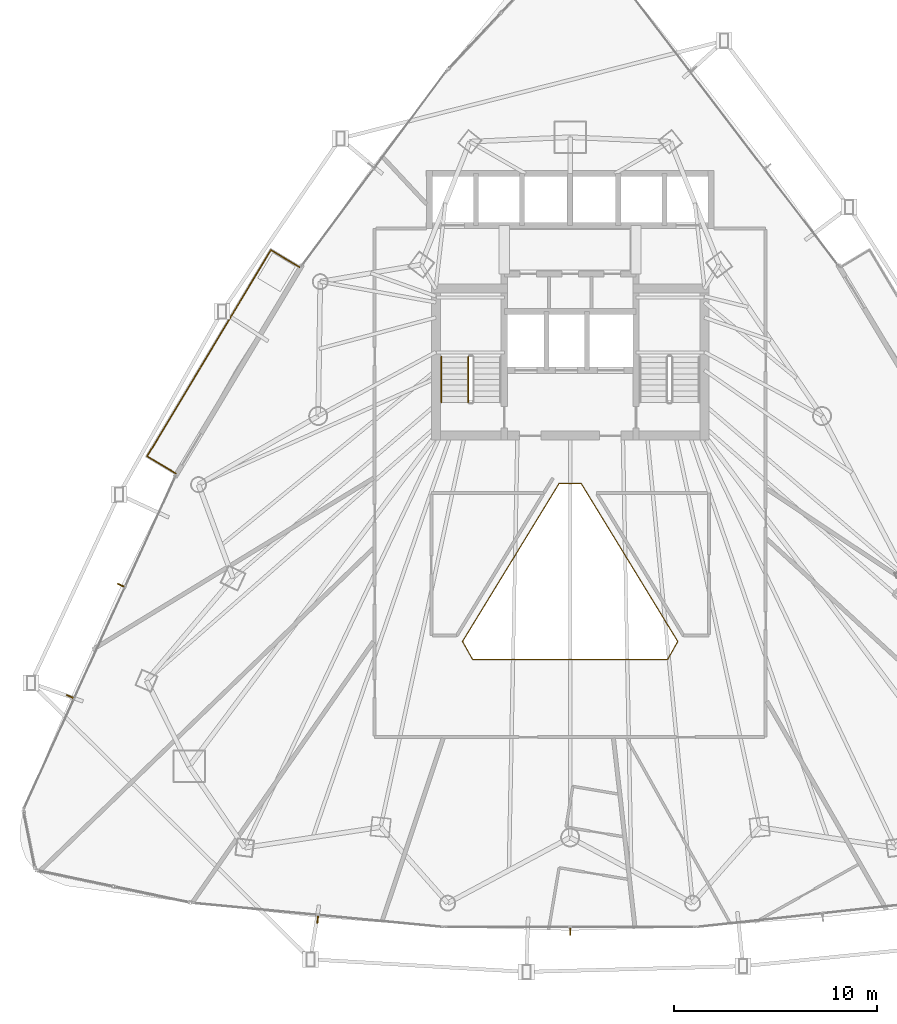
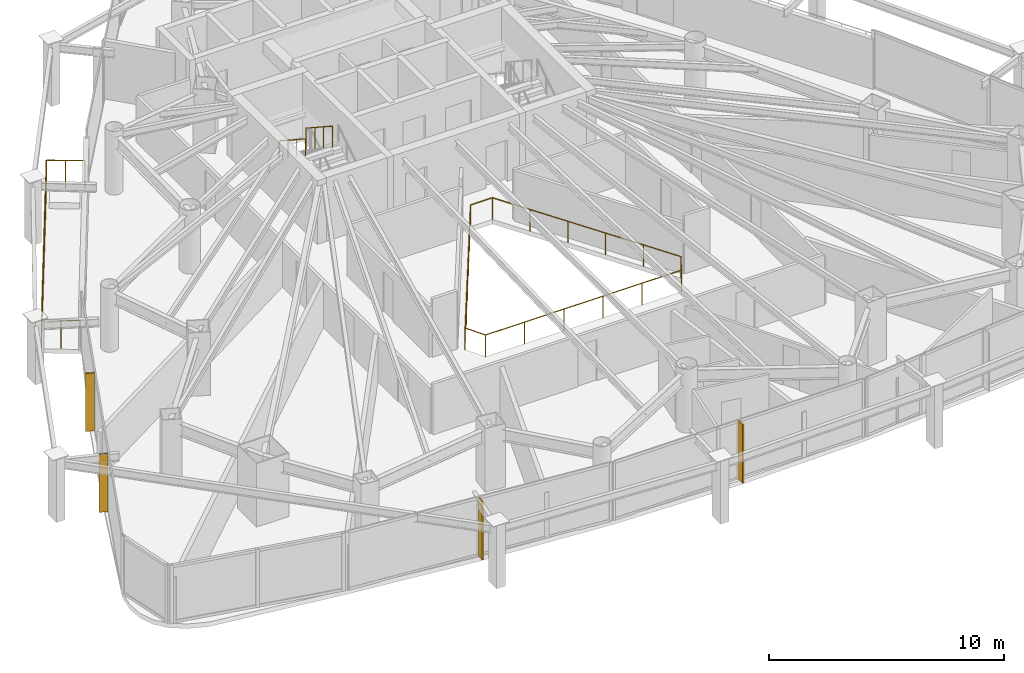
# One storey, part 31 of 33: 4 railings, 4 shading devices.
"""IFC4 building model written with IfcOpenShell, lengths in metres."""

from ifc_helpers import new_model, si_unit, direction, frame, origin, origin_2d, place, context, subcontext, project, spatial, rectangle, circle, extrude, material, layer, layer_set, type_object, element, save


model = new_model("IFC4")

# Units and contexts
model_context = context("Model", 3, precision=1e-05, world=origin(), true_north=direction((0.0, 1.0)))
body_context = subcontext(model_context, "Body", "Model", "MODEL_VIEW")
ifc_project = project(units=[si_unit("LENGTHUNIT", "METRE"), si_unit("AREAUNIT", "SQUARE_METRE"), si_unit("VOLUMEUNIT", "CUBIC_METRE"), si_unit("PLANEANGLEUNIT", "RADIAN"), si_unit("MASSUNIT", "GRAM", prefix="KILO")], contexts=[model_context])

# Site, building, storey
site_placement = place(None, origin())
site = spatial("IfcSite", under=ifc_project, at=site_placement, CompositionType="ELEMENT")
building_placement = place(site_placement, origin())
building = spatial("IfcBuilding", under=site, at=building_placement, Name="Orvanel Arch Residences", CompositionType="ELEMENT")
storey_placement = place(building_placement, frame((0.0, 0.0, 93.949951171875)))
storey = spatial("IfcBuildingStorey", under=building, at=storey_placement, Name="L26", CompositionType="ELEMENT", Elevation=93.949951171875)

# Shading devices
ifc_material_1 = material(Name="Bronze-anodised aluminium AA6063-T6", Category="aluminium")
ifc_layer = layer(ifc_material_1, 0.06005859375)
ifc_layer_set = layer_set([ifc_layer], Name="Bronze-anodised aluminium AA6063-T6")
shading_device_type = type_object("IfcShadingDeviceType", Name="FIN-BRZ-380", PredefinedType="USERDEFINED", material=ifc_layer_set)
for number, where, z_axis, x_axis, name in (
    (1, (10.8359375, 19.291015625, 0.0), (0.0, 0.0, 1.0), (-0.909961270877, 0.414693242656, 0.0), "L26 Anodised Bronze Mullion FIN 01"),
    (2, (8.330078125, 13.797119140625, 0.0), (0.0, 0.0, 1.0), (-0.909961270877, 0.414693242656, 0.0), "L26 Anodised Bronze Mullion FIN 02"),
    (3, (20.544921875, 2.802001953125, 0.0), (0.0, 0.0, 1.0), (-0.09584575252, -0.995396198367, 0.0), "L26 Anodised Bronze Mullion FIN 01"),
    (4, (33.0, 2.205078125, 0.0), (0.0, 0.0, 1.0), (0.0, -1.0, 0.0), "L26 Anodised Bronze Mullion FIN 01"),
):
    element("IfcShadingDevice", number, at=place(storey_placement, frame(where, z_axis=z_axis, x_axis=x_axis)), inside=storey, type_object=shading_device_type, Name=name, ObjectType="FIN", PredefinedType="USERDEFINED", context=body_context, shape_type="SweptSolid", body=[
        extrude(rectangle(XDim=0.3798828125, YDim=0.06005859375, at=origin_2d()), origin(), (0.0, 0.0, 1.0), 3.02001953125),
    ])

# Railings
railing_type_1 = type_object("IfcRailingType", Name="RL-ATR-1150", PredefinedType="BALUSTRADE", material=ifc_material_1)
railing_1_placement = place(storey_placement, frame((33.5380859375, 24.320068359375, 0.0)))
element("IfcRailing", 5, at=railing_1_placement, inside=storey, type_object=railing_type_1, Name="L26 Atrium Void Protective Balustrade", PredefinedType="BALUSTRADE", context=body_context, shape_type="SweptSolid", body=[
    extrude(circle(Radius=0.02392578125, at=origin_2d()), frame((-0.00146484375, 0.0, 1.1259765625), z_axis=(-1.0, 0.0, 0.0), x_axis=(0.0, -1.0, 0.0)), (0.0, 0.0, 1.0), 1.0732421875),
    extrude(circle(Radius=0.02392578125, at=origin_2d()), frame((-1.076904296875, -0.001220703125, 1.1259765625), z_axis=(-0.521572022465, -0.853207258163, 0.0), x_axis=(0.853207258163, -0.521572022465, 0.0)), (0.0, 0.0, 1.0), 9.142578125),
    extrude(circle(Radius=0.02392578125, at=origin_2d()), frame((-5.845458984375, -7.80419921875, 1.1259765625), z_axis=(0.489560568863, -0.871969293849, 0.0), x_axis=(0.871969293849, 0.489560568863, 0.0)), (0.0, 0.0, 1.0), 1.00634765625),
    extrude(circle(Radius=0.02392578125, at=origin_2d()), frame((-5.3505859375, -8.68310546875, 1.1259765625), z_axis=(1.0, 0.0, 0.0), x_axis=(0.0, 1.0, 0.0)), (0.0, 0.0, 1.0), 9.625),
    extrude(circle(Radius=0.02392578125, at=origin_2d()), frame((4.276611328125, -8.681884765625, 1.1259765625), z_axis=(0.489560568863, 0.871969293849, 0.0), x_axis=(-0.871969293849, 0.489560568863, 0.0)), (0.0, 0.0, 1.0), 1.00634765625),
    extrude(circle(Radius=0.02392578125, at=origin_2d()), frame((4.769287109375, -7.8017578125, 1.1259765625), z_axis=(-0.521572022465, 0.853207258163, 0.0), x_axis=(-0.853207258163, -0.521572022465, 0.0)), (0.0, 0.0, 1.0), 9.142578125),
    extrude(circle(Radius=0.02099609375, at=origin_2d()), origin(), (0.0, 0.0, 1.0), 1.099853515625),
    extrude(circle(Radius=0.02099609375, at=origin_2d()), frame((-1.076171875, 0.0, 0.0)), (0.0, 0.0, 1.0), 1.099853515625),
    extrude(circle(Radius=0.02099609375, at=origin_2d()), frame((-2.0302734375, -1.560546875, 0.0)), (0.0, 0.0, 1.0), 1.099853515625),
    extrude(circle(Radius=0.02099609375, at=origin_2d()), frame((-2.984130859375, -3.12109375, 0.0)), (0.0, 0.0, 1.0), 1.099853515625),
    extrude(circle(Radius=0.02099609375, at=origin_2d()), frame((-3.938232421875, -4.681884765625, 0.0)), (0.0, 0.0, 1.0), 1.099853515625),
    extrude(circle(Radius=0.02099609375, at=origin_2d()), frame((-4.89208984375, -6.242431640625, 0.0)), (0.0, 0.0, 1.0), 1.099853515625),
    extrude(circle(Radius=0.02099609375, at=origin_2d()), frame((-5.84619140625, -7.802978515625, 0.0)), (0.0, 0.0, 1.0), 1.099853515625),
    extrude(circle(Radius=0.02099609375, at=origin_2d()), frame((-5.35205078125, -8.68310546875, 0.0)), (0.0, 0.0, 1.0), 1.099853515625),
    extrude(circle(Radius=0.02099609375, at=origin_2d()), frame((-3.426513671875, -8.68310546875, 0.0)), (0.0, 0.0, 1.0), 1.099853515625),
    extrude(circle(Radius=0.02099609375, at=origin_2d()), frame((-1.5009765625, -8.68310546875, 0.0)), (0.0, 0.0, 1.0), 1.099853515625),
    extrude(circle(Radius=0.02099609375, at=origin_2d()), frame((0.4248046875, -8.68310546875, 0.0)), (0.0, 0.0, 1.0), 1.099853515625),
    extrude(circle(Radius=0.02099609375, at=origin_2d()), frame((2.350341796875, -8.68310546875, 0.0)), (0.0, 0.0, 1.0), 1.099853515625),
    extrude(circle(Radius=0.02099609375, at=origin_2d()), frame((4.27587890625, -8.68310546875, 0.0)), (0.0, 0.0, 1.0), 1.099853515625),
    extrude(circle(Radius=0.02099609375, at=origin_2d()), frame((4.77001953125, -7.802978515625, 0.0)), (0.0, 0.0, 1.0), 1.099853515625),
    extrude(circle(Radius=0.02099609375, at=origin_2d()), frame((3.81591796875, -6.242431640625, 0.0)), (0.0, 0.0, 1.0), 1.099853515625),
    extrude(circle(Radius=0.02099609375, at=origin_2d()), frame((2.862060546875, -4.681884765625, 0.0)), (0.0, 0.0, 1.0), 1.099853515625),
    extrude(circle(Radius=0.02099609375, at=origin_2d()), frame((1.907958984375, -3.12109375, 0.0)), (0.0, 0.0, 1.0), 1.099853515625),
    extrude(circle(Radius=0.02099609375, at=origin_2d()), frame((0.9541015625, -1.560546875, 0.0)), (0.0, 0.0, 1.0), 1.099853515625),
])
railing_type_2 = type_object("IfcRailingType", Name="RL-BAL-1480", PredefinedType="BALUSTRADE", material=ifc_material_1)
railing_2_placement = place(storey_placement, frame((19.639892578125, 34.986083984375, 0.0)))
element("IfcRailing", 6, at=railing_2_placement, inside=storey, type_object=railing_type_2, Name="L26 Balcony Perimeter Guardrail Face 1", PredefinedType="BALUSTRADE", context=body_context, shape_type="SweptSolid", body=[
    extrude(circle(Radius=0.02392578125, at=origin_2d()), frame((-0.001220703125, 0.000732421875, 1.4560546875), z_axis=(-0.857387817543, 0.514670895164, 0.0), x_axis=(-0.514670895164, -0.857387817543, 0.0)), (0.0, 0.0, 1.0), 1.636962890625),
    extrude(circle(Radius=0.02392578125, at=origin_2d()), frame((-1.40673828125, 0.8427734375, 1.4560546875), z_axis=(-0.51443221159, -0.857531048813, 0.0), x_axis=(0.857531048813, -0.51443221159, 0.0)), (0.0, 0.0, 1.0), 11.862548828125),
    extrude(circle(Radius=0.02392578125, at=origin_2d()), frame((-7.5087890625, -9.331787109375, 1.4560546875), z_axis=(0.857584807373, -0.514342588322, 0.0), x_axis=(0.514342588322, 0.857584807373, 0.0)), (0.0, 0.0, 1.0), 1.637939453125),
    extrude(circle(Radius=0.02099609375, at=origin_2d()), origin(), (0.0, 0.0, 1.0), 1.429931640625),
    extrude(circle(Radius=0.02099609375, at=origin_2d()), frame((-0.703125, 0.421875, 0.0)), (0.0, 0.0, 1.0), 1.429931640625),
    extrude(circle(Radius=0.02099609375, at=origin_2d()), frame((-1.406005859375, 0.843994140625, 0.0)), (0.0, 0.0, 1.0), 1.429931640625),
    extrude(circle(Radius=0.02099609375, at=origin_2d()), frame((-2.016357421875, -0.173583984375, 0.0)), (0.0, 0.0, 1.0), 1.429931640625),
    extrude(circle(Radius=0.02099609375, at=origin_2d()), frame((-2.626708984375, -1.19091796875, 0.0)), (0.0, 0.0, 1.0), 1.429931640625),
    extrude(circle(Radius=0.02099609375, at=origin_2d()), frame((-3.2373046875, -2.20849609375, 0.0)), (0.0, 0.0, 1.0), 1.429931640625),
    extrude(circle(Radius=0.02099609375, at=origin_2d()), frame((-3.84765625, -3.22607421875, 0.0)), (0.0, 0.0, 1.0), 1.429931640625),
    extrude(circle(Radius=0.02099609375, at=origin_2d()), frame((-4.4580078125, -4.24365234375, 0.0)), (0.0, 0.0, 1.0), 1.429931640625),
    extrude(circle(Radius=0.02099609375, at=origin_2d()), frame((-5.068359375, -5.260986328125, 0.0)), (0.0, 0.0, 1.0), 1.429931640625),
    extrude(circle(Radius=0.02099609375, at=origin_2d()), frame((-5.6787109375, -6.278564453125, 0.0)), (0.0, 0.0, 1.0), 1.429931640625),
    extrude(circle(Radius=0.02099609375, at=origin_2d()), frame((-6.289306640625, -7.296142578125, 0.0)), (0.0, 0.0, 1.0), 1.429931640625),
    extrude(circle(Radius=0.02099609375, at=origin_2d()), frame((-6.899658203125, -8.3134765625, 0.0)), (0.0, 0.0, 1.0), 1.429931640625),
    extrude(circle(Radius=0.02099609375, at=origin_2d()), frame((-7.510009765625, -9.3310546875, 0.0)), (0.0, 0.0, 1.0), 1.429931640625),
    extrude(circle(Radius=0.02099609375, at=origin_2d()), frame((-6.806396484375, -9.7529296875, 0.0)), (0.0, 0.0, 1.0), 1.429931640625),
    extrude(circle(Radius=0.02099609375, at=origin_2d()), frame((-6.102783203125, -10.175048828125, 0.0)), (0.0, 0.0, 1.0), 1.429931640625),
])
ifc_material_2 = material(Name="Structural steel AS/NZS 1163 C350L0 (Grade 350)", Category="steel")
railing_type_3 = type_object("IfcRailingType", Name="RL-STAIR-GUARD", PredefinedType="GUARDRAIL", material=ifc_material_2)
railing_3_placement = place(storey_placement, frame((27.969970703125, 30.56005859375, 1.83349609375)))
element("IfcRailing", 7, at=railing_3_placement, inside=storey, type_object=railing_type_3, Name="L26 ST-1 stair guard 3", PredefinedType="GUARDRAIL", context=body_context, shape_type="SweptSolid", body=[
    extrude(circle(Radius=0.02392578125, at=origin_2d()), frame((0.0, -0.001220703125, 1.076904296875), z_axis=(0.0, -0.836636935527, 0.547757827979), x_axis=(1.0, 0.0, 0.0)), (0.0, 0.0, 1.0), 2.67431640625),
    extrude(circle(Radius=0.02099609375, at=origin_2d()), origin(), (0.0, 0.0, 1.0), 1.050048828125),
    extrude(circle(Radius=0.02099609375, at=origin_2d()), frame((0.0, -0.74658203125, 0.48876953125)), (0.0, 0.0, 1.0), 1.050048828125),
    extrude(circle(Radius=0.02099609375, at=origin_2d()), frame((0.0, -1.493408203125, 0.977783203125)), (0.0, 0.0, 1.0), 1.050048828125),
    extrude(circle(Radius=0.02099609375, at=origin_2d()), frame((0.0, -2.239990234375, 1.466552734375)), (0.0, 0.0, 1.0), 1.050048828125),
])
railing_type_4 = type_object("IfcRailingType", Name="RL-STAIR-HAND", PredefinedType="HANDRAIL", material=ifc_material_2)
railing_4_placement = place(storey_placement, frame((26.64990234375, 30.56005859375, 1.83349609375)))
element("IfcRailing", 8, at=railing_4_placement, inside=storey, type_object=railing_type_4, Name="L26 ST-1 stair handrail 2", PredefinedType="HANDRAIL", context=body_context, shape_type="SweptSolid", body=[
    extrude(circle(Radius=0.02392578125, at=origin_2d()), frame((0.0, -0.001220703125, 0.876708984375), z_axis=(0.0, -0.836636935527, 0.547757827979), x_axis=(1.0, 0.0, 0.0)), (0.0, 0.0, 1.0), 2.67431640625),
    extrude(circle(Radius=0.02099609375, at=origin_2d()), origin(), (0.0, 0.0, 1.0), 0.849853515625),
    extrude(circle(Radius=0.02099609375, at=origin_2d()), frame((0.0, -0.74658203125, 0.48876953125)), (0.0, 0.0, 1.0), 0.849853515625),
    extrude(circle(Radius=0.02099609375, at=origin_2d()), frame((0.0, -1.493408203125, 0.977783203125)), (0.0, 0.0, 1.0), 0.849853515625),
    extrude(circle(Radius=0.02099609375, at=origin_2d()), frame((0.0, -2.239990234375, 1.466552734375)), (0.0, 0.0, 1.0), 0.849853515625),
])

save(model, "model.ifc")
